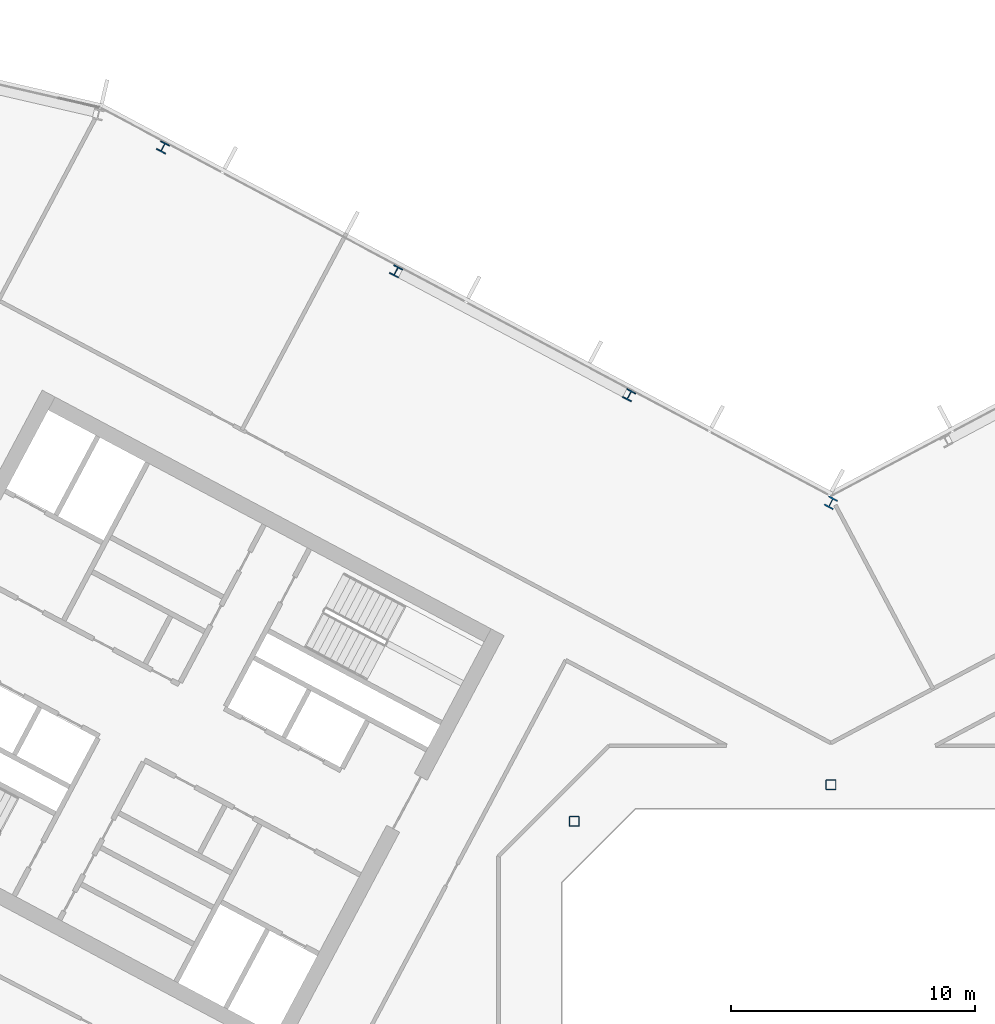
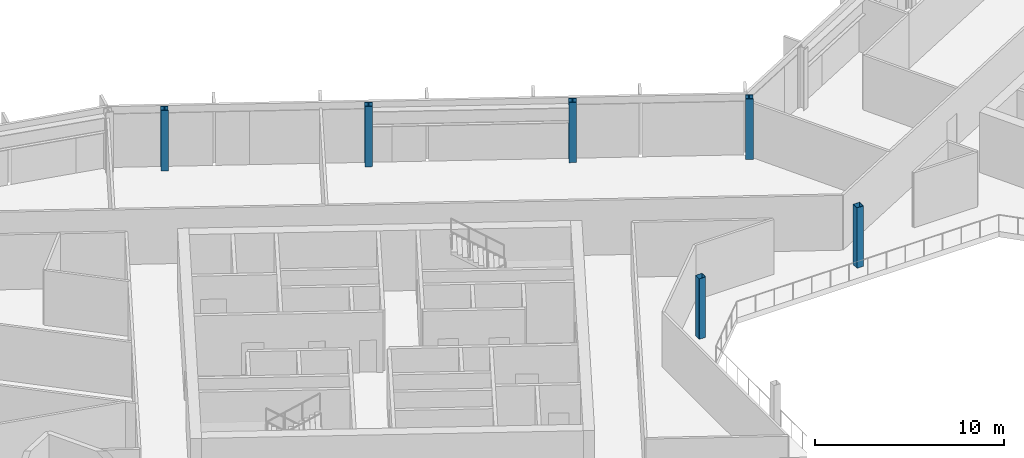
# One storey, part 4 of 26: 6 columns.
"""IFC4 building model written with IfcOpenShell, lengths in metres."""

import ifcopenshell
import ifcopenshell.guid

model = None  # the IFC model being written
_history = None  # IfcOwnerHistory: only IFC2X3 demands one
_inside = {}  # id of a spatial element -> (the spatial element, [elements in it])
_under = {}  # id of a project, library or spatial element -> (it, [spatial elements below it])
_declared = {}  # id of a project -> (the project, [libraries it declares])
_typed = {}  # id of a type object -> (the type object, [elements of that type])
_made_of = {}  # id of a material, layer set ... -> (it, [elements and type objects made of it])


def new_model(schema):
    """Start an empty IFC model of exactly this schema.

    Asked for "IFC4X3", IfcOpenShell would pick the latest addendum, in which some entities
    have other attributes; the version numbers below select the first issue.
    IFC2X3 requires an IfcOwnerHistory on every rooted entity: one is made here for all.
    """
    global model, _history
    if schema == "IFC4X3":
        model = ifcopenshell.file(schema_version=(4, 3, 0, 0))
    else:
        model = ifcopenshell.file(schema=schema)
    _inside.clear()
    _under.clear()
    _declared.clear()
    _typed.clear()
    _made_of.clear()
    _history = None
    if model.schema == "IFC2X3":
        org = make("IfcOrganization", Name="unknown")
        user = make(
            "IfcPersonAndOrganization",
            ThePerson=make("IfcPerson", FamilyName="unknown"),
            TheOrganization=org,
        )
        app = make(
            "IfcApplication",
            ApplicationDeveloper=org,
            Version="unknown",
            ApplicationFullName="unknown",
            ApplicationIdentifier="unknown",
        )
        _history = make(
            "IfcOwnerHistory",
            OwningUser=user,
            OwningApplication=app,
            ChangeAction="ADDED",
            CreationDate=0,
        )
    return model


def make(cls, **values):
    """One entity of the class cls with the attributes given. An attribute that is None is left unset."""
    return model.create_entity(
        cls, **{name: value for name, value in values.items() if value is not None}
    )


def rooted(cls, **values):
    """An entity with a GlobalId (a new one), such as an element, a storey or a relation."""
    return make(cls, GlobalId=ifcopenshell.guid.new(), OwnerHistory=_history, **values)


def si_unit(unit_type, name, prefix=None):
    """IfcSIUnit, for example si_unit("LENGTHUNIT", "METRE", prefix="MILLI")."""
    return make("IfcSIUnit", UnitType=unit_type, Prefix=prefix, Name=name)


def assignment(units):
    """IfcUnitAssignment: the units of a project."""
    return None if units is None else make("IfcUnitAssignment", Units=units)


def point(xyz):
    """IfcCartesianPoint."""
    return None if xyz is None else make("IfcCartesianPoint", Coordinates=xyz)


def direction(xyz):
    """IfcDirection."""
    return None if xyz is None else make("IfcDirection", DirectionRatios=xyz)


def frame(location, z_axis=None, x_axis=None):
    """IfcAxis2Placement3D, a coordinate frame: its origin and axes. An axis left out is left unset."""
    return make(
        "IfcAxis2Placement3D",
        Location=point(location),
        Axis=direction(z_axis),
        RefDirection=direction(x_axis),
    )


def frame_2d(location, x_axis=None):
    """IfcAxis2Placement2D, a coordinate frame in the plane: its origin and x axis."""
    return make(
        "IfcAxis2Placement2D", Location=point(location), RefDirection=direction(x_axis)
    )


def origin():
    """The frame at (0, 0, 0) with its axes left unset."""
    return frame((0.0, 0.0, 0.0))


def origin_2d():
    """The frame at (0, 0) in the plane with its x axis left unset."""
    return frame_2d((0.0, 0.0))


def place(relative_to, where):
    """IfcLocalPlacement: puts the frame where relative to a parent placement (None: the world)."""
    return make(
        "IfcLocalPlacement", PlacementRelTo=relative_to, RelativePlacement=where
    )


def context(
    kind, dimensions, precision=None, world=None, true_north=None, identifier=None
):
    """IfcGeometricRepresentationContext, for example the 3D "Model" context."""
    return make(
        "IfcGeometricRepresentationContext",
        ContextIdentifier=identifier,
        ContextType=kind,
        CoordinateSpaceDimension=dimensions,
        Precision=precision,
        WorldCoordinateSystem=world,
        TrueNorth=true_north,
    )


def subcontext(parent, identifier, kind, view, scale=None):
    """IfcGeometricRepresentationSubContext, for example "Body" below "Model"."""
    return make(
        "IfcGeometricRepresentationSubContext",
        ContextIdentifier=identifier,
        ContextType=kind,
        ParentContext=parent,
        TargetScale=scale,
        TargetView=view,
    )


def project(units=None, contexts=None):
    """IfcProject with its units and contexts."""
    return rooted(
        "IfcProject",
        Name="project",
        RepresentationContexts=contexts,
        UnitsInContext=assignment(units),
    )


def spatial(cls, under=None, at=None, **own):
    """A site, building, storey or space (cls), placed at a placement, below another one or the project."""
    s = rooted(cls, ObjectPlacement=at, **own)
    if under is not None:
        _under.setdefault(under.id(), (under, []))[1].append(s)
    return s


def profile(cls, at=None, kind="AREA", **sizes):
    """A parametric profile (cls). Its sizes go by their IFC names, for example OverallWidth=200.0."""
    return make(cls, ProfileType=kind, Position=at, **sizes)


def hollow_rectangle(**sizes):
    """IfcRectangleHollowProfileDef."""
    return profile("IfcRectangleHollowProfileDef", **sizes)


def i_section(**sizes):
    """IfcIShapeProfileDef."""
    return profile("IfcIShapeProfileDef", **sizes)


def extrude(swept, where, along, depth):
    """IfcExtrudedAreaSolid: the profile swept, set in the frame where, extruded along a direction by depth."""
    return make(
        "IfcExtrudedAreaSolid",
        SweptArea=swept,
        Position=where,
        ExtrudedDirection=direction(along),
        Depth=depth,
    )


def shape(context_of_items, identifier, shape_type, items):
    """IfcShapeRepresentation: the items that make up one representation, for example the "Body"."""
    return make(
        "IfcShapeRepresentation",
        ContextOfItems=context_of_items,
        RepresentationIdentifier=identifier,
        RepresentationType=shape_type,
        Items=items,
    )


def material(Name=None, Category=None):
    """IfcMaterial."""
    return make("IfcMaterial", Name=Name, Category=Category)


def material_profile(
    of_material, cross_section, Name=None, Category=None, Priority=None
):
    """IfcMaterialProfile: a cross section and its material."""
    return make(
        "IfcMaterialProfile",
        Name=Name,
        Material=of_material,
        Profile=cross_section,
        Priority=Priority,
        Category=Category,
    )


def profile_set(profiles, Name=None, composite=None):
    """IfcMaterialProfileSet."""
    return make(
        "IfcMaterialProfileSet",
        Name=Name,
        MaterialProfiles=profiles,
        CompositeProfile=composite,
    )


def made_of(thing, what):
    """Note that an element or type object is made of a material, layer set ...; save() writes the relation."""
    if what is not None:
        _made_of.setdefault(what.id(), (what, []))[1].append(thing)
    return thing


def type_object(cls, material=None, **own):
    """A type object (cls), such as IfcWallType, which elements share."""
    return made_of(rooted(cls, **own), material)


def element(
    cls,
    number,
    at=None,
    inside=None,
    cuts=None,
    type_object=None,
    material=None,
    context=None,
    identifier="Body",
    shape_type=None,
    held_by="IfcProductDefinitionShape",
    body=None,
    shapes=None,
    **own,
):
    """One element of the class cls, such as IfcWall. Its Tag is "e" and its number.

    at: its placement. inside: the storey or other place that contains it. cuts: it is an
    opening in that element (IfcRelVoidsElement). A single representation is given by context,
    identifier, shape_type and body (its items); several are given by shapes. held_by: the class
    of the entity that holds the representations. save() writes the other relations.
    """
    e = rooted(cls, Tag="e%d" % number, ObjectPlacement=at, **own)
    if body is not None:
        shapes = [shape(context, identifier, shape_type, body)]
    if shapes is not None:
        e.Representation = make(held_by, Representations=shapes)
    if inside is not None:
        _inside.setdefault(inside.id(), (inside, []))[1].append(e)
    if cuts is not None:
        rooted(
            "IfcRelVoidsElement", RelatingBuildingElement=cuts, RelatedOpeningElement=e
        )
    if type_object is not None:
        _typed.setdefault(type_object.id(), (type_object, []))[1].append(e)
    return made_of(e, material)


def aggregate(whole, parts):
    """IfcRelAggregates: a whole, such as a stair, and the parts it consists of."""
    return rooted("IfcRelAggregates", RelatingObject=whole, RelatedObjects=parts)


def save(model, path):
    """Write the relations noted so far, then the file.

    IfcRelAggregates (storeys below a building ...), IfcRelContainedInSpatialStructure (elements
    in a storey), IfcRelDefinesByType, IfcRelAssociatesMaterial and IfcRelDeclares: one each for
    every whole, place, type object, material and project.
    """
    for whole, parts in _under.values():
        aggregate(whole, parts)
    for where, things in _inside.values():
        rooted(
            "IfcRelContainedInSpatialStructure",
            RelatedElements=things,
            RelatingStructure=where,
        )
    for kind, things in _typed.values():
        rooted("IfcRelDefinesByType", RelatedObjects=things, RelatingType=kind)
    for what, things in _made_of.values():
        rooted("IfcRelAssociatesMaterial", RelatedObjects=things, RelatingMaterial=what)
    for by, libraries in _declared.values():
        rooted("IfcRelDeclares", RelatingContext=by, RelatedDefinitions=libraries)
    model.write(path)


model = new_model("IFC4")

# Units and contexts
model_context = context("Model", 3, precision=1e-05, world=origin(), true_north=direction((0.0, 1.0)))
body_context = subcontext(model_context, "Body", "Model", "MODEL_VIEW")
ifc_project = project(units=[si_unit("LENGTHUNIT", "METRE"), si_unit("AREAUNIT", "SQUARE_METRE"), si_unit("VOLUMEUNIT", "CUBIC_METRE"), si_unit("PLANEANGLEUNIT", "RADIAN"), si_unit("MASSUNIT", "GRAM", prefix="KILO")], contexts=[model_context])

# Site, building, storey
site_placement = place(None, origin())
site = spatial("IfcSite", under=ifc_project, at=site_placement, CompositionType="ELEMENT")
building_placement = place(site_placement, origin())
building = spatial("IfcBuilding", under=site, at=building_placement, Name="Cormorant Relay Tower", CompositionType="ELEMENT")
storey_placement = place(building_placement, frame((0.0, 0.0, 220.800048828125)))
storey = spatial("IfcBuildingStorey", under=building, at=storey_placement, Name="L48", CompositionType="ELEMENT", Elevation=220.800048828125)

# Columns
ifc_material_1 = material(Name="Steel ASTM A500 Grade C (Fy 345 MPa)", Category="steel")
ifc_material_profile_1 = material_profile(ifc_material_1, hollow_rectangle(XDim=0.406494140625, YDim=0.406494140625, WallThickness=0.0146484375, InnerFilletRadius=0.00732421875, OuterFilletRadius=0.022216796875, at=origin_2d()), Name="HSS406x406x15")
ifc_profile_set_1 = profile_set([ifc_material_profile_1], Name="Steel ASTM A500 Grade C (Fy 345 MPa)")
column_type_1 = type_object("IfcColumnType", Name="Column HSS406x406x15", PredefinedType="COLUMN", material=ifc_profile_set_1)
for number, where, z_axis, x_axis, name in (
    (1, (-10.5, 10.5, 0.0), (0.0, 0.0, 1.0), (1.0, 0.0, 0.0), "Column L48-023"),
    (2, (0.0, 12.0, 0.0), (0.0, 0.0, 1.0), (1.0, 0.0, 0.0), "Column L48-025"),
):
    element("IfcColumn", number, at=place(storey_placement, frame(where, z_axis=z_axis, x_axis=x_axis)), inside=storey, type_object=column_type_1, Name=name, PredefinedType="COLUMN", context=body_context, shape_type="SweptSolid", body=[
        extrude(hollow_rectangle(XDim=0.406494140625, YDim=0.406494140625, WallThickness=0.0146484375, InnerFilletRadius=0.00732421875, OuterFilletRadius=0.022216796875, at=origin_2d()), origin(), (0.0, 0.0, 1.0), 3.89990234375),
    ])
ifc_material_2 = material(Name="Steel ASTM A992 (Fy 345 MPa)", Category="steel")
ifc_material_profile_2 = material_profile(ifc_material_2, i_section(OverallWidth=0.40380859375, OverallDepth=0.406494140625, WebThickness=0.027099609375, FlangeThickness=0.043701171875, FilletRadius=0.01513671875, at=origin_2d()), Name="W360x347")
ifc_profile_set_2 = profile_set([ifc_material_profile_2], Name="Steel ASTM A992 (Fy 345 MPa)")
column_type_2 = type_object("IfcColumnType", Name="Column W360x347", PredefinedType="COLUMN", material=ifc_profile_set_2)
for number, where, z_axis, x_axis, name in (
    (3, (-8.251953125, 27.93408203125, 0.0), (0.0, 0.0, 1.0), (-0.882947592859, 0.469471562786, 0.0), "Column L48-033"),
    (4, (-17.7880859375, 33.00390625, 0.0), (0.0, 0.0, 1.0), (-0.882947592859, 0.469471562786, 0.0), "Column L48-037"),
    (5, (-27.322998046875, 38.073974609375, 0.0), (0.0, 0.0, 1.0), (-0.882947592859, 0.469471562786, 0.0), "Column L48-040"),
):
    element("IfcColumn", number, at=place(storey_placement, frame(where, z_axis=z_axis, x_axis=x_axis)), inside=storey, type_object=column_type_2, Name=name, PredefinedType="COLUMN", context=body_context, shape_type="SweptSolid", body=[
        extrude(i_section(OverallWidth=0.40380859375, OverallDepth=0.406494140625, WebThickness=0.027099609375, FlangeThickness=0.043701171875, FilletRadius=0.01513671875, at=origin_2d()), origin(), (0.0, 0.0, 1.0), 3.89990234375),
    ])
ifc_material_3 = material(Name="Steel ASTM A992 (Fy 345 MPa)", Category="steel")
ifc_material_profile_3 = material_profile(ifc_material_3, i_section(OverallWidth=0.41162109375, OverallDepth=0.434326171875, WebThickness=0.035888671875, FlangeThickness=0.057373046875, FilletRadius=0.01513671875, at=origin_2d()), Name="W360x463")
ifc_profile_set_3 = profile_set([ifc_material_profile_3], Name="Steel ASTM A992 (Fy 345 MPa)")
column_type_3 = type_object("IfcColumnType", Name="Column W360x463", PredefinedType="COLUMN", material=ifc_profile_set_3)
column_placement = place(storey_placement, frame((0.0, 23.533935546875, 0.0), z_axis=(0.0, 0.0, 1.0), x_axis=(-0.882947592859, 0.469471562786, 0.0)))
element("IfcColumn", 6, at=column_placement, inside=storey, type_object=column_type_3, Name="Column L48-030", PredefinedType="COLUMN", context=body_context, shape_type="SweptSolid", body=[
    extrude(i_section(OverallWidth=0.41162109375, OverallDepth=0.434326171875, WebThickness=0.035888671875, FlangeThickness=0.057373046875, FilletRadius=0.01513671875, at=origin_2d()), origin(), (0.0, 0.0, 1.0), 3.89990234375),
])

save(model, "model.ifc")
